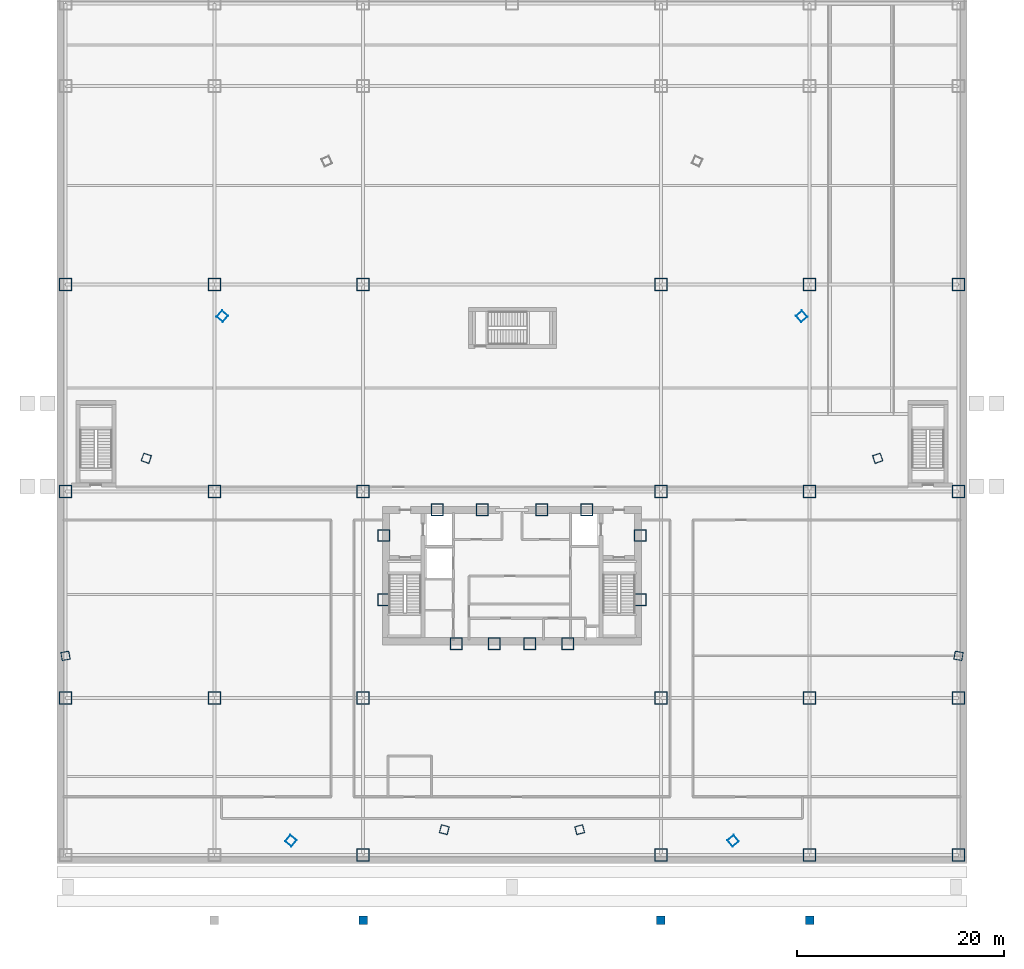
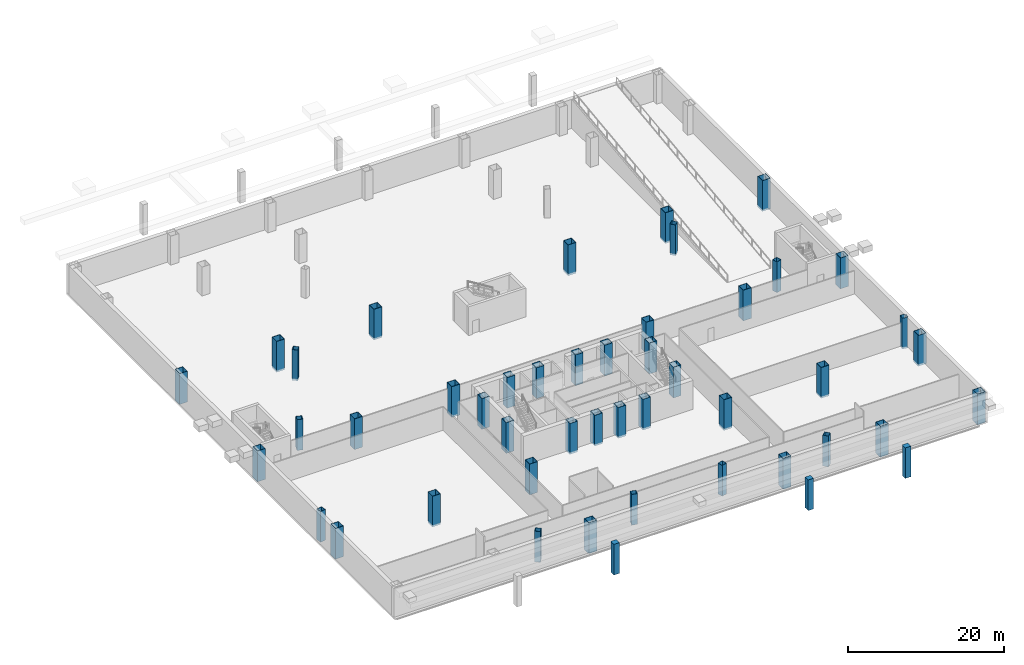
# One storey, part 2 of 16: 47 columns.
"""IFC4 building model written with IfcOpenShell, lengths in metres."""

from ifc_helpers import new_model, si_unit, direction, frame, origin, origin_2d, place, context, subcontext, project, spatial, rectangle, hollow_rectangle, extrude, source, transform, mapped, material, material_profile, profile_set, type_object, element, save


model = new_model("IFC4")

# Units and contexts
model_context = context("Model", 3, precision=1e-05, world=origin(), true_north=direction((0.0, 1.0)))
body_context = subcontext(model_context, "Body", "Model", "MODEL_VIEW")
ifc_project = project(units=[si_unit("LENGTHUNIT", "METRE"), si_unit("AREAUNIT", "SQUARE_METRE"), si_unit("VOLUMEUNIT", "CUBIC_METRE"), si_unit("PLANEANGLEUNIT", "RADIAN"), si_unit("MASSUNIT", "GRAM", prefix="KILO"), si_unit("THERMODYNAMICTEMPERATUREUNIT", "KELVIN"), si_unit("POWERUNIT", "WATT")], contexts=[model_context])

# Site, building, storey
site_placement = place(None, origin())
site = spatial("IfcSite", under=ifc_project, at=site_placement, CompositionType="ELEMENT")
building_placement = place(site_placement, origin())
building = spatial("IfcBuilding", under=site, at=building_placement, Name="Yunzhuo Pagoda Commons", CompositionType="ELEMENT")
storey_placement = place(building_placement, frame((0.0, 0.0, -4.800048828125)))
storey = spatial("IfcBuildingStorey", under=building, at=storey_placement, Name="B01", CompositionType="ELEMENT", Elevation=-4.800048828125)

# Columns
ifc_material_1 = material(Name="Structural steel Q420B", Category="steel")
ifc_material_profile_1 = material_profile(ifc_material_1, hollow_rectangle(XDim=1.14990234375, YDim=1.14990234375, WallThickness=0.048095703125, at=origin_2d()), Name="Structural steel Q420B")
ifc_profile_set_1 = profile_set([ifc_material_profile_1], Name="Structural steel Q420B")
column_type_1 = type_object("IfcColumnType", Name="C-COR Column BOX 1150x1150x48", PredefinedType="COLUMN", material=ifc_profile_set_1)
shared_shape_1 = source(origin(), body_context, "Body", "SweptSolid", [
    extrude(hollow_rectangle(XDim=1.14990234375, YDim=1.14990234375, WallThickness=0.048095703125, at=origin_2d()), origin(), (0.0, 0.0, 1.0), 4.820068359375),
])
for number, where, z_axis, x_axis, name in (
    (1, (42.587890625, 27.25, -0.300048828125), (0.0, 0.0, 1.0), (1.0, 0.0, 0.0), "B01 core composite column F1C1"),
    (2, (46.27197265625, 27.25, -0.300048828125), (0.0, 0.0, 1.0), (1.0, 0.0, 0.0), "B01 core composite column F1C2"),
    (3, (49.728515625, 27.25, -0.300048828125), (0.0, 0.0, 1.0), (1.0, 0.0, 0.0), "B01 core composite column F1C3"),
    (4, (53.412109375, 27.25, -0.300048828125), (0.0, 0.0, 1.0), (1.0, 0.0, 0.0), "B01 core composite column F1C4"),
    (5, (60.39990234375, 31.513427734375, -0.300048828125), (0.0, 0.0, 1.0), (1.0, 0.0, 0.0), "B01 core composite column F2C1"),
    (6, (60.39990234375, 37.72900390625, -0.300048828125), (0.0, 0.0, 1.0), (1.0, 0.0, 0.0), "B01 core composite column F2C2"),
    (7, (55.218994140625, 40.199951171875, -0.300048828125), (0.0, 0.0, 1.0), (1.0, 0.0, 0.0), "B01 core composite column F2C3"),
    (8, (50.89404296875, 40.199951171875, -0.300048828125), (0.0, 0.0, 1.0), (1.0, 0.0, 0.0), "B01 core composite column F2C4"),
    (9, (45.10595703125, 40.199951171875, -0.300048828125), (0.0, 0.0, 1.0), (1.0, 0.0, 0.0), "B01 core composite column F3C1"),
    (10, (40.781005859375, 40.199951171875, -0.300048828125), (0.0, 0.0, 1.0), (1.0, 0.0, 0.0), "B01 core composite column F3C2"),
    (11, (35.60009765625, 37.72900390625, -0.300048828125), (0.0, 0.0, 1.0), (1.0, 0.0, 0.0), "B01 core composite column F3C3"),
    (12, (35.60009765625, 31.513427734375, -0.300048828125), (0.0, 0.0, 1.0), (1.0, 0.0, 0.0), "B01 core composite column F3C4"),
):
    element("IfcColumn", number, at=place(storey_placement, frame(where, z_axis=z_axis, x_axis=x_axis)), inside=storey, type_object=column_type_1, Name=name, PredefinedType="COLUMN", context=body_context, shape_type="MappedRepresentation", body=[
        mapped(shared_shape_1, transform((0.0, 0.0, 0.0), scale=1.0)),
    ])
ifc_material_profile_2 = material_profile(ifc_material_1, hollow_rectangle(XDim=1.199951171875, YDim=1.199951171875, WallThickness=0.050048828125, at=origin_2d()), Name="Structural steel Q420B")
ifc_profile_set_2 = profile_set([ifc_material_profile_2], Name="Structural steel Q420B")
column_type_2 = type_object("IfcColumnType", Name="C-POD Column BOX 1200x1200x50", PredefinedType="COLUMN", material=ifc_profile_set_2)
shared_shape_2 = source(origin(), body_context, "Body", "SweptSolid", [
    extrude(hollow_rectangle(XDim=1.199951171875, YDim=1.199951171875, WallThickness=0.050048828125, at=origin_2d()), origin(), (0.0, 0.0, 1.0), 4.820068359375),
])
for number, where, z_axis, x_axis, name in (
    (13, (4.800048828125, 22.0, -0.300048828125), (0.0, 0.0, 1.0), (1.0, 0.0, 0.0), "B01 podium column P1_2"),
    (14, (4.800048828125, 42.0, -0.300048828125), (0.0, 0.0, 1.0), (1.0, 0.0, 0.0), "B01 podium column P1_3"),
    (15, (4.800048828125, 62.0, -0.300048828125), (0.0, 0.0, 1.0), (1.0, 0.0, 0.0), "B01 podium column P1_4"),
    (16, (19.199951171875, 22.0, -0.300048828125), (0.0, 0.0, 1.0), (1.0, 0.0, 0.0), "B01 podium column P2_2"),
    (17, (19.199951171875, 42.0, -0.300048828125), (0.0, 0.0, 1.0), (1.0, 0.0, 0.0), "B01 podium column P2_3"),
    (18, (19.199951171875, 62.0, -0.300048828125), (0.0, 0.0, 1.0), (1.0, 0.0, 0.0), "B01 podium column P2_4"),
    (19, (33.60009765625, 6.800048828125, -0.300048828125), (0.0, 0.0, 1.0), (1.0, 0.0, 0.0), "B01 podium column P3_1"),
    (20, (33.60009765625, 22.0, -0.300048828125), (0.0, 0.0, 1.0), (1.0, 0.0, 0.0), "B01 podium column P3_2"),
    (21, (33.60009765625, 42.0, -0.300048828125), (0.0, 0.0, 1.0), (1.0, 0.0, 0.0), "B01 podium column P3_3"),
    (22, (33.60009765625, 62.0, -0.300048828125), (0.0, 0.0, 1.0), (1.0, 0.0, 0.0), "B01 podium column P3_4"),
    (23, (62.39990234375, 6.800048828125, -0.300048828125), (0.0, 0.0, 1.0), (1.0, 0.0, 0.0), "B01 podium column P4_1"),
    (24, (62.39990234375, 22.0, -0.300048828125), (0.0, 0.0, 1.0), (1.0, 0.0, 0.0), "B01 podium column P4_2"),
    (25, (62.39990234375, 42.0, -0.300048828125), (0.0, 0.0, 1.0), (1.0, 0.0, 0.0), "B01 podium column P4_3"),
    (26, (62.39990234375, 62.0, -0.300048828125), (0.0, 0.0, 1.0), (1.0, 0.0, 0.0), "B01 podium column P4_4"),
    (27, (76.800048828125, 6.800048828125, -0.300048828125), (0.0, 0.0, 1.0), (1.0, 0.0, 0.0), "B01 podium column P5_1"),
    (28, (76.800048828125, 22.0, -0.300048828125), (0.0, 0.0, 1.0), (1.0, 0.0, 0.0), "B01 podium column P5_2"),
    (29, (76.800048828125, 42.0, -0.300048828125), (0.0, 0.0, 1.0), (1.0, 0.0, 0.0), "B01 podium column P5_3"),
    (30, (76.800048828125, 62.0, -0.300048828125), (0.0, 0.0, 1.0), (1.0, 0.0, 0.0), "B01 podium column P5_4"),
    (31, (91.199951171875, 6.800048828125, -0.300048828125), (0.0, 0.0, 1.0), (1.0, 0.0, 0.0), "B01 podium column P6_1"),
    (32, (91.199951171875, 22.0, -0.300048828125), (0.0, 0.0, 1.0), (1.0, 0.0, 0.0), "B01 podium column P6_2"),
    (33, (91.199951171875, 42.0, -0.300048828125), (0.0, 0.0, 1.0), (1.0, 0.0, 0.0), "B01 podium column P6_3"),
    (34, (91.199951171875, 62.0, -0.300048828125), (0.0, 0.0, 1.0), (1.0, 0.0, 0.0), "B01 podium column P6_4"),
):
    element("IfcColumn", number, at=place(storey_placement, frame(where, z_axis=z_axis, x_axis=x_axis)), inside=storey, type_object=column_type_2, Name=name, PredefinedType="COLUMN", context=body_context, shape_type="MappedRepresentation", body=[
        mapped(shared_shape_2, transform((0.0, 0.0, 0.0), scale=1.0)),
    ])
ifc_material_profile_3 = material_profile(ifc_material_1, hollow_rectangle(XDim=0.800048828125, YDim=0.800048828125, WallThickness=0.031982421875, at=origin_2d()), Name="Structural steel Q420B")
ifc_profile_set_3 = profile_set([ifc_material_profile_3], Name="Structural steel Q420B")
column_type_3 = type_object("IfcColumnType", Name="C-BUT Column BOX 800x800x32", PredefinedType="COLUMN", material=ifc_profile_set_3)
shared_shape_3 = source(origin(), body_context, "Body", "SweptSolid", [
    extrude(hollow_rectangle(XDim=0.800048828125, YDim=0.800048828125, WallThickness=0.031982421875, at=origin_2d()), origin(), (0.0, 0.0, 1.0), 4.820068359375),
])
for number, where, z_axis, x_axis, name in (
    (35, (26.60302734375, 8.199951171875, -0.300048828125), (0.0, 0.0, 1.0), (0.766044443119, -0.642787609687, 0.0), "B01 podium transfer support column PR_F1C1"),
    (36, (41.45166015625, 9.260986328125, -0.300048828125), (0.0, 0.0, 1.0), (0.965925826289, -0.258819045103, 0.0), "B01 podium transfer support column PR_F1C2"),
    (37, (54.54833984375, 9.260986328125, -0.300048828125), (0.0, 0.0, 1.0), (0.965925826289, 0.258819045103, 0.0), "B01 podium transfer support column PR_F1C3"),
    (38, (69.39697265625, 8.199951171875, -0.300048828125), (0.0, 0.0, 1.0), (0.766044443119, 0.642787609687, 0.0), "B01 podium transfer support column PR_F1C4"),
    (39, (91.198974609375, 26.0830078125, -0.300048828125), (0.0, 0.0, 1.0), (0.173648177667, 0.984807753012, 0.0), "B01 podium transfer support column PR_F2C1"),
    (40, (83.37890625, 45.195556640625, -0.300048828125), (0.0, 0.0, 1.0), (-0.309016994375, 0.951056516295, 0.0), "B01 podium transfer support column PR_F2C2"),
    (41, (76.027099609375, 58.935302734375, -0.300048828125), (0.0, 0.0, 1.0), (-0.669130606359, 0.743144825477, 0.0), "B01 podium transfer support column PR_F2C3"),
    (42, (19.973388671875, 58.935302734375, -0.300048828125), (0.0, 0.0, 1.0), (-0.669130606359, -0.743144825477, 0.0), "B01 podium transfer support column PR_F3C2"),
    (43, (12.62109375, 45.195556640625, -0.300048828125), (0.0, 0.0, 1.0), (-0.309016994375, -0.951056516295, 0.0), "B01 podium transfer support column PR_F3C3"),
    (44, (4.801025390625, 26.0830078125, -0.300048828125), (0.0, 0.0, 1.0), (0.173648177667, -0.984807753012, 0.0), "B01 podium transfer support column PR_F3C4"),
):
    element("IfcColumn", number, at=place(storey_placement, frame(where, z_axis=z_axis, x_axis=x_axis)), inside=storey, type_object=column_type_3, Name=name, PredefinedType="COLUMN", context=body_context, shape_type="MappedRepresentation", body=[
        mapped(shared_shape_3, transform((0.0, 0.0, 0.0), scale=1.0)),
    ])
ifc_material_2 = material(Name="Concrete C50", Category="concrete")
ifc_material_profile_4 = material_profile(ifc_material_2, rectangle(XDim=0.800048828125, YDim=0.800048828125, at=origin_2d()), Name="Concrete C50")
ifc_profile_set_4 = profile_set([ifc_material_profile_4], Name="Concrete C50")
column_type_4 = type_object("IfcColumnType", Name="C-PIL2 Pilaster RC 800x800", PredefinedType="PILASTER", material=ifc_profile_set_4)
shared_shape_4 = source(origin(), body_context, "Body", "SweptSolid", [
    extrude(rectangle(XDim=0.800048828125, YDim=0.800048828125, at=origin_2d()), origin(), (0.0, 0.0, 1.0), 4.800048828125),
])
for number, where, z_axis, x_axis, name in (
    (45, (33.60009765625, 0.5, 0.0), (0.0, 0.0, 1.0), (1.0, 0.0, 0.0), "South canopy pedestal pier S2"),
    (46, (62.39990234375, 0.5, 0.0), (0.0, 0.0, 1.0), (1.0, 0.0, 0.0), "South canopy pedestal pier S3"),
    (47, (76.800048828125, 0.5, 0.0), (0.0, 0.0, 1.0), (1.0, 0.0, 0.0), "South canopy pedestal pier S4"),
):
    element("IfcColumn", number, at=place(storey_placement, frame(where, z_axis=z_axis, x_axis=x_axis)), inside=storey, type_object=column_type_4, Name=name, PredefinedType="PILASTER", context=body_context, shape_type="MappedRepresentation", body=[
        mapped(shared_shape_4, transform((0.0, 0.0, 0.0), scale=1.0)),
    ])

save(model, "model.ifc")
